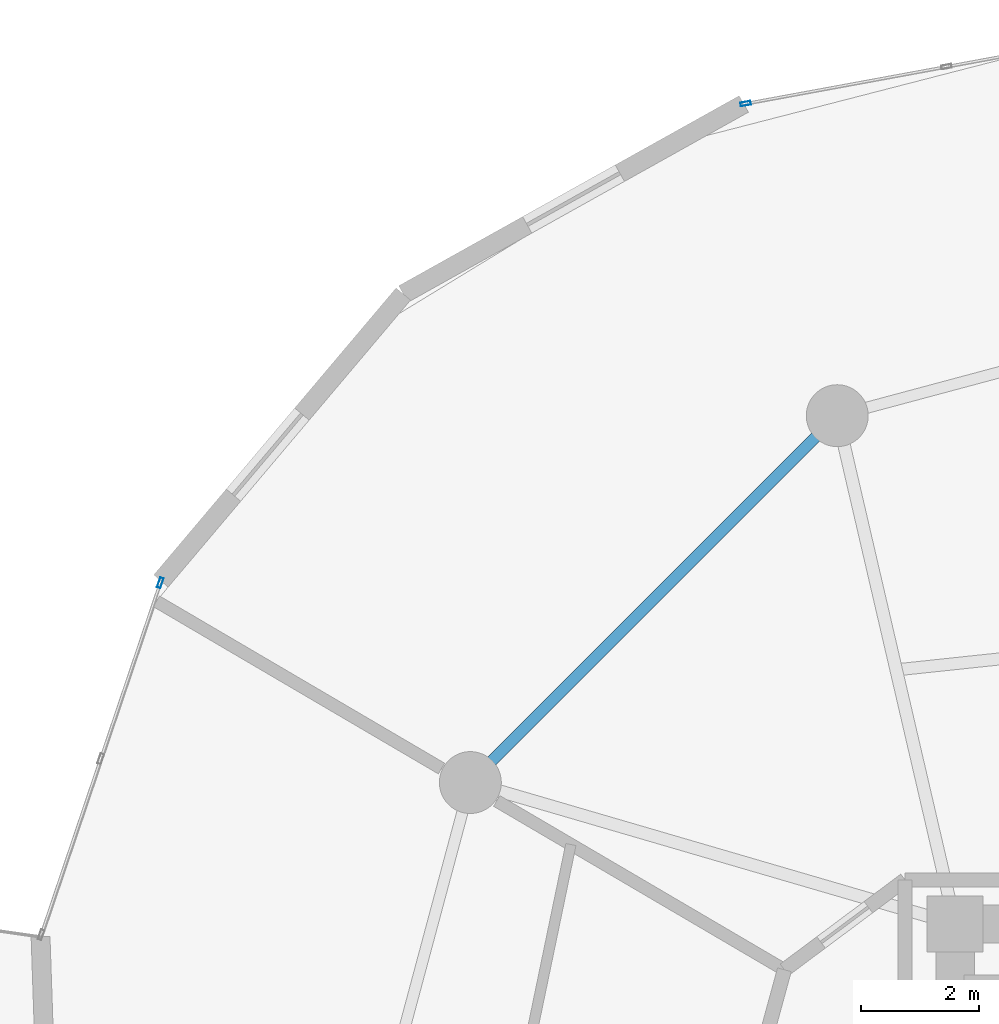
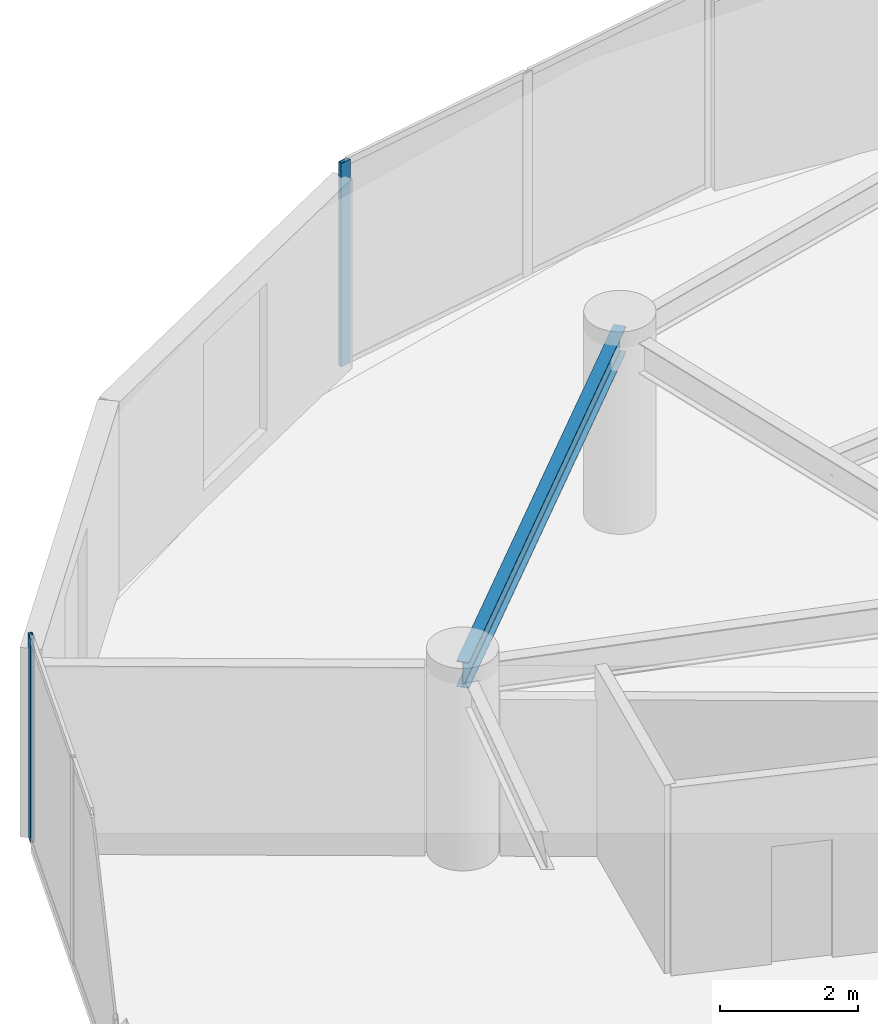
# One storey, part 15 of 25: 2 members, 1 beam, 2 elements without a shape of their own.
"""IFC4 building model written with IfcOpenShell, lengths in metres."""

from ifc_helpers import new_model, si_unit, direction, frame, origin, origin_2d, place, context, subcontext, project, spatial, hollow_rectangle, i_section, extrude, source, transform, mapped, material, layer, layer_set, material_profile, profile_set, type_object, element, aggregate, save


model = new_model("IFC4")

# Units and contexts
model_context = context("Model", 3, precision=1e-05, world=origin(), true_north=direction((0.0, 1.0)))
body_context = subcontext(model_context, "Body", "Model", "MODEL_VIEW")
ifc_project = project(units=[si_unit("LENGTHUNIT", "METRE"), si_unit("AREAUNIT", "SQUARE_METRE"), si_unit("VOLUMEUNIT", "CUBIC_METRE"), si_unit("PLANEANGLEUNIT", "RADIAN"), si_unit("MASSUNIT", "GRAM", prefix="KILO")], contexts=[model_context])

# Site, building, storey
site_placement = place(None, origin())
site = spatial("IfcSite", under=ifc_project, at=site_placement, CompositionType="ELEMENT")
building_placement = place(site_placement, origin())
building = spatial("IfcBuilding", under=site, at=building_placement, Name="Solvirekh Grand Hotel", CompositionType="ELEMENT")
storey_placement = place(building_placement, frame((0.0, 0.0, 102.60009765625)))
storey = spatial("IfcBuildingStorey", under=building, at=storey_placement, Name="L25", CompositionType="ELEMENT", Elevation=102.60009765625)

# Beam
ifc_material_1 = material(Name="Steel S355", Category="steel")
ifc_material_profile_1 = material_profile(ifc_material_1, i_section(OverallWidth=0.18994140625, OverallDepth=0.45703125, WebThickness=0.009033203125, FlangeThickness=0.013916015625, FilletRadius=0.012939453125, at=origin_2d()), Name="W460X74")
ifc_profile_set_1 = profile_set([ifc_material_profile_1], Name="Steel S355")
beam_type = type_object("IfcBeamType", Name="Spandrel_Ring_W460", PredefinedType="SPANDREL", material=ifc_profile_set_1)
beam_placement = place(storey_placement, frame((-8.5, 14.721923828125, 3.121826171875), z_axis=(-0.707106781187, -0.707106781187, 0.0), x_axis=(0.707106781187, -0.707106781187, 0.0)))
element("IfcBeam", 1, at=beam_placement, inside=storey, type_object=beam_type, Name="L25 perimeter spandrel beam 5", PredefinedType="SPANDREL", context=body_context, shape_type="SweptSolid", body=[
    extrude(i_section(OverallWidth=0.18994140625, OverallDepth=0.45703125, WebThickness=0.009033203125, FlangeThickness=0.013916015625, FilletRadius=0.012939453125, at=origin_2d()), origin(), (0.0, 0.0, 1.0), 8.799072265625),
])

# Curtain wall, member
ifc_material_2 = material(Name="Anodized Bronze Aluminium 6063-T6", Category="aluminium")
ifc_layer = layer(ifc_material_2, 0.175048828125)
ifc_layer_set = layer_set([ifc_layer], Name="Anodized Bronze Aluminium 6063-T6")
curtain_wall_type = type_object("IfcCurtainWallType", Name="CW_Sys3_MidZoneFlushBronzeCW", PredefinedType="NOTDEFINED", material=ifc_layer_set)
curtain_wall_1_placement = place(storey_placement, origin())
curtain_wall_1 = element("IfcCurtainWall", 2, at=curtain_wall_1_placement, inside=storey, type_object=curtain_wall_type, Name="L25 unitised bronze-glass curtain wall CW-L25-C08", PredefinedType="NOTDEFINED")
ifc_material_profile_2 = material_profile(ifc_material_2, hollow_rectangle(XDim=0.06494140625, YDim=0.175048828125, WallThickness=0.0048828125, at=origin_2d()), Name="ALU RHS 175X65X5")
ifc_profile_set_2 = profile_set([ifc_material_profile_2], Name="Anodized Bronze Aluminium 6063-T6")
member_type = type_object("IfcMemberType", Name="CWMullion_Sys3", PredefinedType="MULLION", material=ifc_profile_set_2)
shared_shape = source(origin(), body_context, "Body", "SweptSolid", [
    extrude(hollow_rectangle(XDim=0.06494140625, YDim=0.175048828125, WallThickness=0.0048828125, at=origin_2d()), origin(), (0.0, 0.0, 1.0), 3.599853515625),
])
member_1_placement = place(storey_placement, frame((-10.052978515625, 20.013916015625, 0.0), z_axis=(0.0, 0.0, 1.0), x_axis=(0.180987633873, -0.983485371719, 0.0)))
member_1 = element("IfcMember", 3, at=member_1_placement, type_object=member_type, Name="U03 mullion 3", PredefinedType="MULLION", context=body_context, shape_type="MappedRepresentation", body=[
    mapped(shared_shape, transform((0.0, 0.0, 0.0), x_axis=(1.0, 0.0, 0.0), y_axis=(0.0, 1.0, 0.0), z_axis=(0.0, 0.0, 1.0), scale=1.0)),
])
aggregate(curtain_wall_1, [member_1])

curtain_wall_2_placement = place(storey_placement, origin())
curtain_wall_2 = element("IfcCurtainWall", 4, at=curtain_wall_2_placement, inside=storey, type_object=curtain_wall_type, Name="L25 unitised bronze-glass curtain wall CW-L25-C11", PredefinedType="NOTDEFINED")
member_2_placement = place(storey_placement, frame((-19.9794921875, 11.88818359375, 0.0), z_axis=(0.0, 0.0, 1.0), x_axis=(0.947213035477, -0.320604843106, 0.0)))
member_2 = element("IfcMember", 5, at=member_2_placement, type_object=member_type, Name="U03 mullion 1", PredefinedType="MULLION", context=body_context, shape_type="MappedRepresentation", body=[
    mapped(shared_shape, transform((0.0, 0.0, 0.0), x_axis=(1.0, 0.0, 0.0), y_axis=(0.0, 1.0, 0.0), z_axis=(0.0, 0.0, 1.0), scale=1.0)),
])
aggregate(curtain_wall_2, [member_2])

save(model, "model.ifc")
